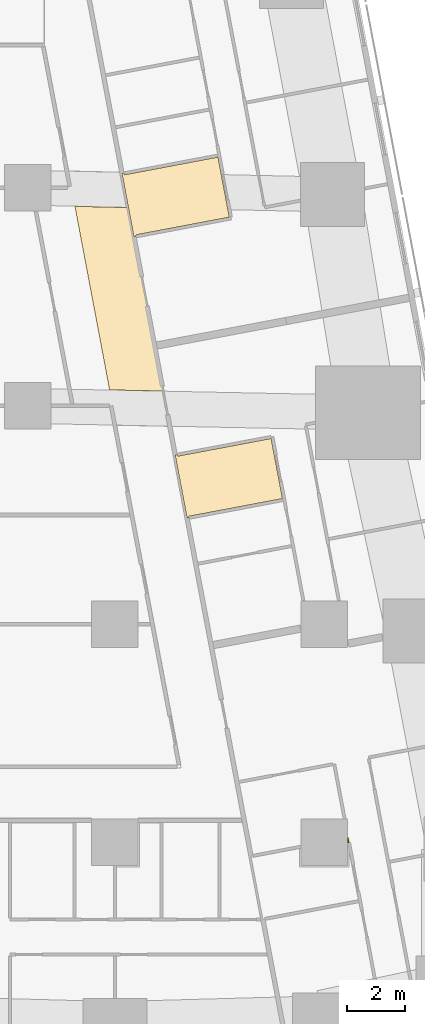
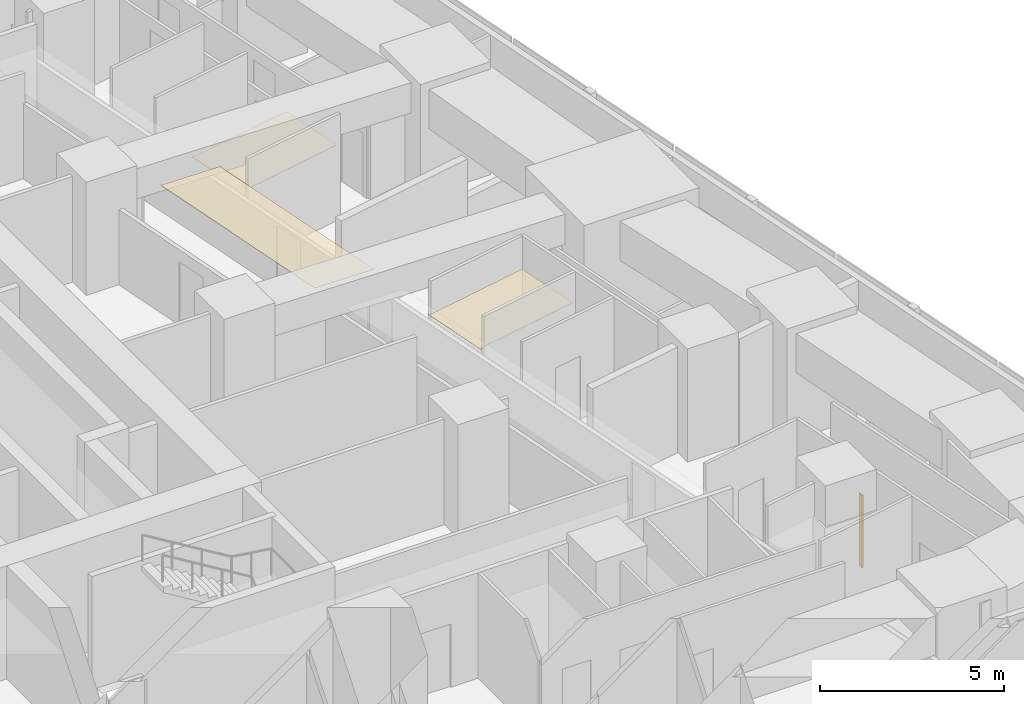
# One storey, part 14 of 15: 4 coverings.
"""IFC4 building model written with IfcOpenShell, lengths in metres."""

from ifc_helpers import new_model, si_unit, direction, frame, origin, place, context, subcontext, project, spatial, polyline, outline, extrude, material, layer, layer_set, type_object, element, save


model = new_model("IFC4")

# Units and contexts
model_context = context("Model", 3, precision=1e-05, world=origin(), true_north=direction((0.0, 1.0)))
body_context = subcontext(model_context, "Body", "Model", "MODEL_VIEW")
ifc_project = project(units=[si_unit("LENGTHUNIT", "METRE"), si_unit("AREAUNIT", "SQUARE_METRE"), si_unit("VOLUMEUNIT", "CUBIC_METRE"), si_unit("PLANEANGLEUNIT", "RADIAN"), si_unit("MASSUNIT", "GRAM", prefix="KILO")], contexts=[model_context])

# Site, building, storey
site_placement = place(None, origin())
site = spatial("IfcSite", under=ifc_project, at=site_placement, CompositionType="ELEMENT")
building_placement = place(site_placement, origin())
building = spatial("IfcBuilding", under=site, at=building_placement, Name="Sheger Commons Tower", CompositionType="ELEMENT")
storey_placement = place(building_placement, frame((0.0, 0.0, 77.89990234375)))
storey = spatial("IfcBuildingStorey", under=building, at=storey_placement, Name="L19", CompositionType="ELEMENT", Elevation=77.89990234375)

# Coverings
ifc_material_1 = material(Name="Moisture-resistant gypsum plasterboard 15 mm on a suspended galvanised steel grid", Category="steel")
ifc_layer_1 = layer(ifc_material_1, 0.014892578125)
ifc_layer_set_1 = layer_set([ifc_layer_1], Name="MOISTURE-RESISTANT CEILING 15")
covering_type_1 = type_object("IfcCoveringType", Name="MOISTURE-RESISTANT CEILING 15", PredefinedType="CEILING", material=ifc_layer_set_1)
covering_1_placement = place(storey_placement, frame((0.0, 0.0, 2.400146484375)))
element("IfcCovering", 1, at=covering_1_placement, inside=storey, type_object=covering_type_1, Name="L19-07.B1 ceiling", PredefinedType="CEILING", context=body_context, shape_type="SweptSolid", body=[
    extrude(outline(polyline([(36.656982421875, 28.31005859375), (36.72607421875, 28.322998046875), (36.716064453125, 28.376953125), (39.93310546875, 28.986083984375), (39.54296875, 31.049072265625), (36.325927734375, 30.44091796875), (36.31591796875, 30.4951171875), (36.24609375, 30.48193359375), (36.656982421875, 28.31005859375)])), origin(), (0.0, 0.0, 1.0), 0.014892578125),
])
covering_2_placement = place(storey_placement, frame((0.0, 0.0, 2.400146484375)))
element("IfcCovering", 2, at=covering_2_placement, inside=storey, type_object=covering_type_1, Name="L19-08.B1 ceiling", PredefinedType="CEILING", context=body_context, shape_type="SweptSolid", body=[
    extrude(outline(polyline([(38.48291015625, 18.639892578125), (38.552001953125, 18.653076171875), (38.5419921875, 18.7060546875), (41.760009765625, 19.31396484375), (41.3701171875, 21.3779296875), (38.152099609375, 20.77001953125), (38.14208984375, 20.823974609375), (38.072998046875, 20.81103515625), (38.48291015625, 18.639892578125)])), origin(), (0.0, 0.0, 1.0), 0.014892578125),
])
ifc_material_2 = material(Name="Gypsum plasterboard 15 mm on a suspended steel grid", Category="steel")
ifc_layer_2 = layer(ifc_material_2, 0.014892578125)
ifc_layer_set_2 = layer_set([ifc_layer_2], Name="SUSPENDED CEILING 15")
covering_type_2 = type_object("IfcCoveringType", Name="SUSPENDED CEILING 15", PredefinedType="CEILING", material=ifc_layer_set_2)
covering_3_placement = place(storey_placement, frame((0.0, 0.0, 2.7001953125)))
element("IfcCovering", 3, at=covering_3_placement, inside=storey, type_object=covering_type_2, Name="L19-CO ceiling", PredefinedType="CEILING", context=body_context, shape_type="SweptSolid", body=[
    extrude(outline(polyline([(37.657958984375, 23.010986328125), (36.466064453125, 29.31591796875), (34.626953125, 29.35791015625), (35.819091796875, 23.048095703125), (37.657958984375, 23.010986328125)])), origin(), (0.0, 0.0, 1.0), 0.014892578125),
])
ifc_material_3 = material(Name="Moisture-resistant gypsum board 12.5 mm on 25 mm treated timber battens, tanked and tiled", Category="wood")
ifc_layer_3 = layer(ifc_material_3, 0.050048828125)
ifc_layer_set_3 = layer_set([ifc_layer_3], Name="WET-ROOM COLUMN LINING")
covering_type_3 = type_object("IfcCoveringType", Name="WET-ROOM COLUMN LINING", PredefinedType="CLADDING", material=ifc_layer_set_3)
covering_4_placement = place(storey_placement, origin())
element("IfcCovering", 4, at=covering_4_placement, inside=storey, type_object=covering_type_3, Name="Bathroom column lining C9 L19", PredefinedType="CLADDING", context=body_context, shape_type="SweptSolid", body=[
    extrude(outline(polyline([(44.0, 7.652099609375), (44.01806640625, 7.655029296875), (44.049072265625, 7.489990234375), (44.0, 7.48095703125), (44.0, 7.652099609375)])), origin(), (0.0, 0.0, 1.0), 2.400146484375),
])

save(model, "model.ifc")
